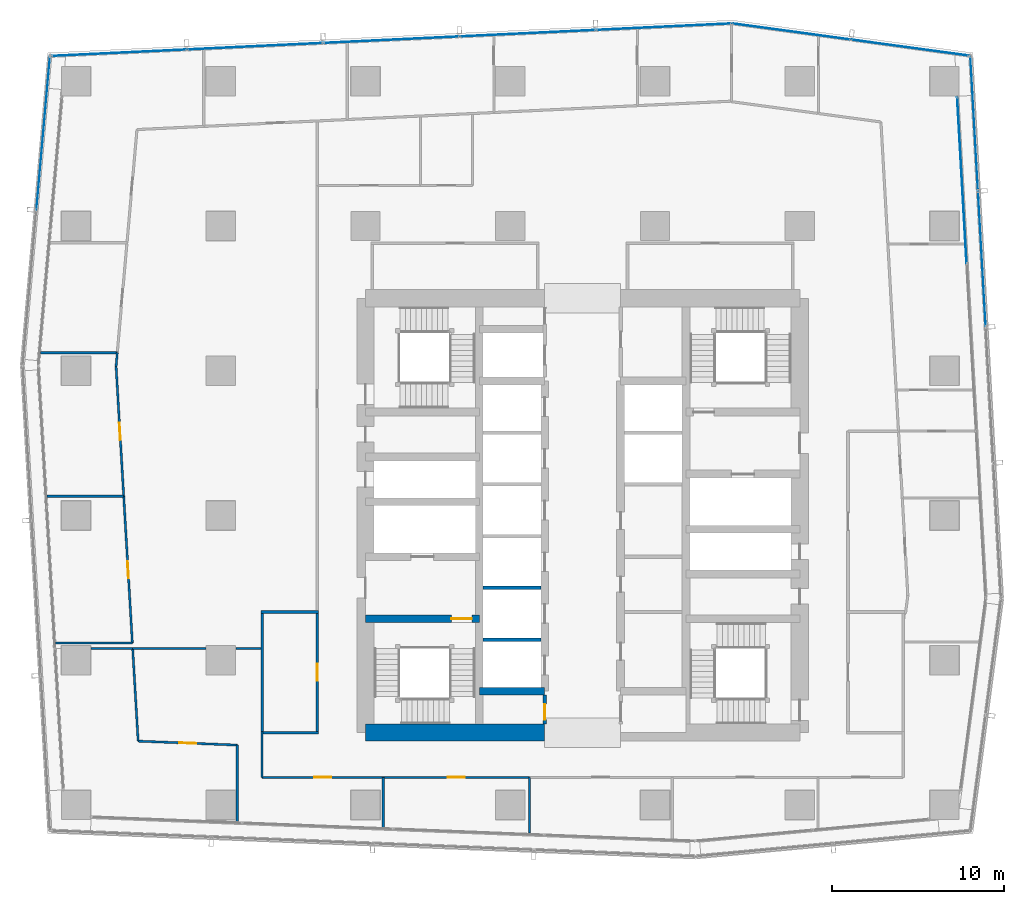
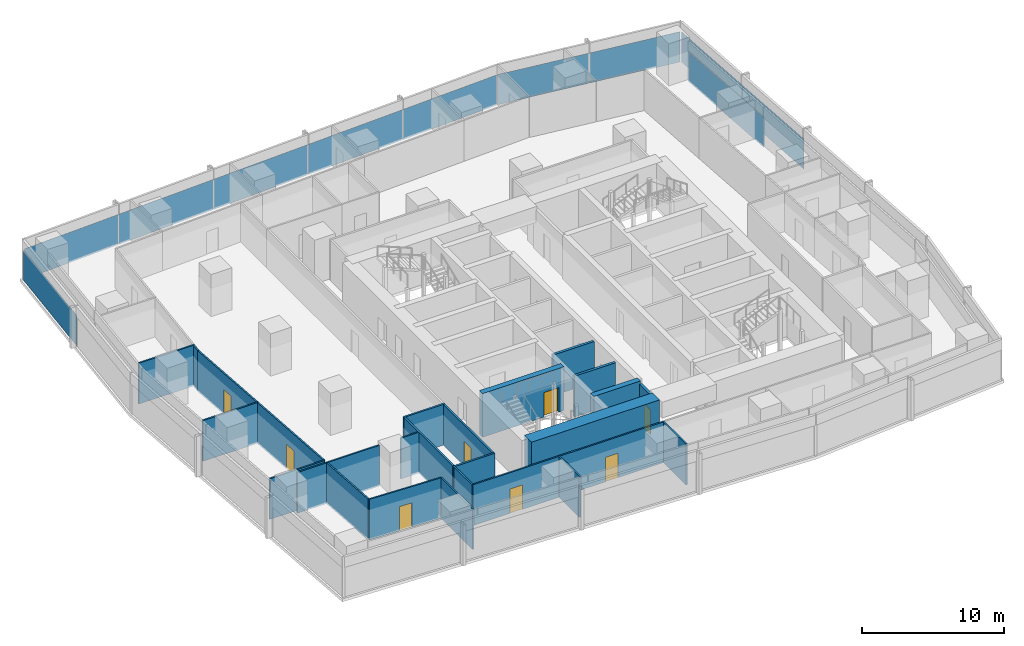
# One storey, part 27 of 39: 27 walls, 11 plates, 8 doors, 8 openings, 5 elements without a shape of their own.
"""IFC4 building model written with IfcOpenShell, lengths in metres."""

from ifc_helpers import new_model, si_unit, direction, frame, frame_2d, origin, origin_2d, place, context, subcontext, project, spatial, rectangle, extrude, material, layer, layer_set, type_object, element, fill, aggregate, save


model = new_model("IFC4")

# Units and contexts
model_context = context("Model", 3, precision=1e-05, world=origin(), true_north=direction((0.0, 1.0)))
body_context = subcontext(model_context, "Body", "Model", "MODEL_VIEW")
ifc_project = project(units=[si_unit("LENGTHUNIT", "METRE"), si_unit("AREAUNIT", "SQUARE_METRE"), si_unit("VOLUMEUNIT", "CUBIC_METRE"), si_unit("PLANEANGLEUNIT", "RADIAN"), si_unit("MASSUNIT", "GRAM", prefix="KILO")], contexts=[model_context])

# Site, building, storey
site_placement = place(None, origin())
site = spatial("IfcSite", under=ifc_project, at=site_placement, CompositionType="ELEMENT")
building_placement = place(site_placement, origin())
building = spatial("IfcBuilding", under=site, at=building_placement, Name="Rekha Terrace Tower", CompositionType="ELEMENT")
storey_placement = place(building_placement, frame((0.0, 0.0, 183.949951171875)))
storey = spatial("IfcBuildingStorey", under=building, at=storey_placement, Name="L46", CompositionType="ELEMENT", Elevation=183.949951171875)

# Curtain wall, plate
ifc_material_1 = material(Name="Aluminium framing", Category="aluminium")
curtain_wall_type_1 = type_object("IfcCurtainWallType", Name="CW1 double skin inner glazing", PredefinedType="USERDEFINED", material=ifc_material_1)
curtain_wall_1_placement = place(storey_placement, origin())
curtain_wall_1 = element("IfcCurtainWall", 1, at=curtain_wall_1_placement, inside=storey, type_object=curtain_wall_type_1, Name="CW1 double skin inner glazing", ObjectType="DOUBLE SKIN INNER GLAZING", PredefinedType="USERDEFINED")
ifc_material_2 = material(Name="Double-glazed low-e unit 32", Category="glass")
ifc_layer_1 = layer(ifc_material_2, 0.031982421875)
ifc_layer_set_1 = layer_set([ifc_layer_1], Name="Double-glazed low-e unit 32")
plate_type_1 = type_object("IfcPlateType", Name="CW1 jumbo vision panel, double-glazed low-e unit 32", PredefinedType="CURTAIN_PANEL", material=ifc_layer_set_1)
plate_1_placement = place(storey_placement, frame((59.808349609375, 53.051025390625, 0.0), z_axis=(0.0, 0.0, 1.0), x_axis=(-0.056673194877, 0.998392782918, 0.0)))
plate_1 = element("IfcPlate", 2, at=plate_1_placement, type_object=plate_type_1, Name="CW1 panel 3.1", PredefinedType="CURTAIN_PANEL", context=body_context, shape_type="SweptSolid", body=[
    extrude(rectangle(XDim=9.633056640625, YDim=0.031982421875, at=origin_2d()), origin(), (0.0, 0.0, 1.0), 2.60009765625),
])
aggregate(curtain_wall_1, [plate_1])

# Curtain wall, plates
curtain_wall_type_2 = type_object("IfcCurtainWallType", Name="CW2 double skin outer glazing", PredefinedType="USERDEFINED", material=ifc_material_1)
curtain_wall_2_placement = place(storey_placement, origin())
curtain_wall_2 = element("IfcCurtainWall", 3, at=curtain_wall_2_placement, inside=storey, type_object=curtain_wall_type_2, Name="CW2 double skin outer glazing", ObjectType="DOUBLE SKIN OUTER GLAZING", PredefinedType="USERDEFINED")
ifc_material_3 = material(Name="Toughened single glazing 12", Category="glass")
ifc_layer_2 = layer(ifc_material_3, 0.011962890625)
ifc_layer_set_2 = layer_set([ifc_layer_2], Name="Toughened single glazing 12")
plate_type_2 = type_object("IfcPlateType", Name="CW2 jumbo vision panel, toughened single glazing 12", PredefinedType="CURTAIN_PANEL", material=ifc_layer_set_2)
plate_2_placement = place(storey_placement, frame((60.9697265625, 48.47314453125, 0.0), z_axis=(0.0, 0.0, 1.0), x_axis=(-0.05667319486, 0.998392782919, 0.0)))
plate_2 = element("IfcPlate", 4, at=plate_2_placement, type_object=plate_type_2, Name="CW2 panel 3.1", PredefinedType="CURTAIN_PANEL", context=body_context, shape_type="SweptSolid", body=[
    extrude(rectangle(XDim=7.823486328125, YDim=0.011962890625, at=origin_2d()), origin(), (0.0, 0.0, 1.0), 2.60009765625),
])
plate_3_placement = place(storey_placement, frame((60.522705078125, 56.343994140625, 0.0), z_axis=(0.0, 0.0, 1.0), x_axis=(-0.05667319486, 0.998392782919, 0.0)))
plate_3 = element("IfcPlate", 5, at=plate_3_placement, type_object=plate_type_2, Name="CW2 panel 4.1", PredefinedType="CURTAIN_PANEL", context=body_context, shape_type="SweptSolid", body=[
    extrude(rectangle(XDim=7.783447265625, YDim=0.011962890625, at=origin_2d()), origin(), (0.0, 0.0, 1.0), 2.60009765625),
])
aggregate(curtain_wall_2, [plate_2, plate_3])

# Curtain wall, plate
curtain_wall_3_placement = place(storey_placement, origin())
curtain_wall_3 = element("IfcCurtainWall", 6, at=curtain_wall_3_placement, inside=storey, type_object=curtain_wall_type_2, Name="CW2 double skin outer glazing", ObjectType="DOUBLE SKIN OUTER GLAZING", PredefinedType="USERDEFINED")
plate_4_placement = place(storey_placement, frame((6.498779296875, 55.78466796875, 0.0), z_axis=(0.0, 0.0, 1.0), x_axis=(-0.087957985453, -0.996124185428, 0.0)))
plate_4 = element("IfcPlate", 7, at=plate_4_placement, type_object=plate_type_2, Name="CW2 panel 1.1", PredefinedType="CURTAIN_PANEL", context=body_context, shape_type="SweptSolid", body=[
    extrude(rectangle(XDim=8.899658203125, YDim=0.011962890625, at=origin_2d()), origin(), (0.0, 0.0, 1.0), 2.60009765625),
])
aggregate(curtain_wall_3, [plate_4])

# Curtain wall, plates
curtain_wall_type_3 = type_object("IfcCurtainWallType", Name="CW3 north unitised glazing", PredefinedType="USERDEFINED", material=ifc_material_1)
curtain_wall_4_placement = place(storey_placement, origin())
curtain_wall_4 = element("IfcCurtainWall", 8, at=curtain_wall_4_placement, inside=storey, type_object=curtain_wall_type_3, Name="CW3 unitised curtain wall", ObjectType="UNITISED CURTAIN WALL", PredefinedType="USERDEFINED")
ifc_material_4 = material(Name="Double-glazed unit 28", Category="glass")
ifc_layer_3 = layer(ifc_material_4, 0.028076171875)
ifc_layer_set_3 = layer_set([ifc_layer_3], Name="Double-glazed unit 28")
plate_type_3 = type_object("IfcPlateType", Name="CW3 jumbo vision panel, double-glazed unit 28", PredefinedType="CURTAIN_PANEL", material=ifc_layer_set_3)
plate_5_placement = place(storey_placement, frame((56.797119140625, 60.745361328125, 0.0), z_axis=(0.0, 0.0, 1.0), x_axis=(-0.990867270504, 0.134840840416, 0.0)))
plate_5 = element("IfcPlate", 9, at=plate_5_placement, type_object=plate_type_3, Name="CW3 panel 1.1", PredefinedType="CURTAIN_PANEL", context=body_context, shape_type="SweptSolid", body=[
    extrude(rectangle(XDim=6.8486328125, YDim=0.028076171875, at=origin_2d()), origin(), (0.0, 0.0, 1.0), 2.60009765625),
])
plate_6_placement = place(storey_placement, frame((49.906982421875, 61.682861328125, 0.0), z_axis=(0.0, 0.0, 1.0), x_axis=(-0.990867270504, 0.134840840416, 0.0)))
plate_6 = element("IfcPlate", 10, at=plate_6_placement, type_object=plate_type_3, Name="CW3 panel 2.1", PredefinedType="CURTAIN_PANEL", context=body_context, shape_type="SweptSolid", body=[
    extrude(rectangle(XDim=6.918701171875, YDim=0.028076171875, at=origin_2d()), origin(), (0.0, 0.0, 1.0), 2.60009765625),
])
aggregate(curtain_wall_4, [plate_5, plate_6])

curtain_wall_5_placement = place(storey_placement, origin())
curtain_wall_5 = element("IfcCurtainWall", 11, at=curtain_wall_5_placement, inside=storey, type_object=curtain_wall_type_3, Name="CW3 unitised curtain wall", ObjectType="UNITISED CURTAIN WALL", PredefinedType="USERDEFINED")
plate_7_placement = place(storey_placement, frame((42.50732421875, 61.95947265625, 0.0), z_axis=(0.0, 0.0, 1.0), x_axis=(-0.998858906204, -0.047758616983, 0.0)))
plate_7 = element("IfcPlate", 12, at=plate_7_placement, type_object=plate_type_3, Name="CW3 panel 1.1", PredefinedType="CURTAIN_PANEL", context=body_context, shape_type="SweptSolid", body=[
    extrude(rectangle(XDim=7.81298828125, YDim=0.028076171875, at=origin_2d()), origin(), (0.0, 0.0, 1.0), 2.60009765625),
])
plate_8_placement = place(storey_placement, frame((34.61572265625, 61.58203125, 0.0), z_axis=(0.0, 0.0, 1.0), x_axis=(-0.998858906204, -0.047758616983, 0.0)))
plate_8 = element("IfcPlate", 13, at=plate_8_placement, type_object=plate_type_3, Name="CW3 panel 2.1", PredefinedType="CURTAIN_PANEL", context=body_context, shape_type="SweptSolid", body=[
    extrude(rectangle(XDim=7.84814453125, YDim=0.028076171875, at=origin_2d()), origin(), (0.0, 0.0, 1.0), 2.60009765625),
])
plate_9_placement = place(storey_placement, frame((26.70654296875, 61.203857421875, 0.0), z_axis=(0.0, 0.0, 1.0), x_axis=(-0.998858906204, -0.047758616983, 0.0)))
plate_9 = element("IfcPlate", 14, at=plate_9_placement, type_object=plate_type_3, Name="CW3 panel 3.1", PredefinedType="CURTAIN_PANEL", context=body_context, shape_type="SweptSolid", body=[
    extrude(rectangle(XDim=7.84814453125, YDim=0.028076171875, at=origin_2d()), origin(), (0.0, 0.0, 1.0), 2.60009765625),
])
plate_10_placement = place(storey_placement, frame((18.79736328125, 60.82568359375, 0.0), z_axis=(0.0, 0.0, 1.0), x_axis=(-0.998858906204, -0.047758616983, 0.0)))
plate_10 = element("IfcPlate", 15, at=plate_10_placement, type_object=plate_type_3, Name="CW3 panel 4.1", PredefinedType="CURTAIN_PANEL", context=body_context, shape_type="SweptSolid", body=[
    extrude(rectangle(XDim=7.84814453125, YDim=0.028076171875, at=origin_2d()), origin(), (0.0, 0.0, 1.0), 2.60009765625),
])
plate_11_placement = place(storey_placement, frame((10.906005859375, 60.448486328125, 0.0), z_axis=(0.0, 0.0, 1.0), x_axis=(-0.998858906204, -0.047758616983, 0.0)))
plate_11 = element("IfcPlate", 16, at=plate_11_placement, type_object=plate_type_3, Name="CW3 panel 5.1", PredefinedType="CURTAIN_PANEL", context=body_context, shape_type="SweptSolid", body=[
    extrude(rectangle(XDim=7.81298828125, YDim=0.028076171875, at=origin_2d()), origin(), (0.0, 0.0, 1.0), 2.60009765625),
])
aggregate(curtain_wall_5, [plate_7, plate_8, plate_9, plate_10, plate_11])

# Wall
ifc_material_5 = material(Name="Concrete M60", Category="concrete")
ifc_layer_4 = layer(ifc_material_5, 0.449951171875)
ifc_layer_set_4 = layer_set([ifc_layer_4], Name="Concrete M60")
wall_type_1 = type_object("IfcWallType", Name="CI3 450 core internal shear wall", PredefinedType="SHEAR", material=ifc_layer_set_4)
wall_1_placement = place(storey_placement, frame((31.800048828125, 23.39990234375, 0.0), z_axis=(0.0, 0.0, 1.0), x_axis=(1.0, 0.0, 0.0)))
element("IfcWall", 17, at=wall_1_placement, inside=storey, type_object=wall_type_1, Name="Core wall Y234W L46", PredefinedType="SHEAR", context=body_context, shape_type="SweptSolid", body=[
    extrude(rectangle(XDim=3.800048828125, YDim=0.449951171875, at=frame_2d((1.89990234375, 0.0))), origin(), (0.0, 0.0, 1.0), 3.75),
])

# Wall, opening, door
wall_2_placement = place(storey_placement, frame((25.199951171875, 27.60009765625, 0.0), z_axis=(0.0, 0.0, 1.0), x_axis=(1.0, 0.0, 0.0)))
wall_2 = element("IfcWall", 18, at=wall_2_placement, inside=storey, type_object=wall_type_1, Name="Core wall Y276W L46", PredefinedType="SHEAR", context=body_context, shape_type="SweptSolid", body=[
    extrude(rectangle(XDim=6.60009765625, YDim=0.449951171875, at=frame_2d((3.300048828125, 0.0))), origin(), (0.0, 0.0, 1.0), 3.75),
])
opening_1_placement = place(wall_2_placement, frame((4.97509765625, 0.0, 0.0)))
opening_1 = element("IfcOpeningElement", 19, at=opening_1_placement, cuts=wall_2, Name="Opening D1", PredefinedType="OPENING", context=body_context, shape_type="SweptSolid", body=[
    extrude(rectangle(XDim=1.199951171875, YDim=2.10009765625, at=frame_2d((0.60009765625, 1.050048828125))), frame((0.0, 0.23486328125, 0.0), z_axis=(0.0, -1.0, 0.0), x_axis=(1.0, 0.0, 0.0)), (0.0, 0.0, 1.0), 0.469970703125),
])
ifc_material_6 = material(Name="Steel fire door", Category="steel")
door_type_1 = type_object("IfcDoorType", Name="D1 1200x2100 stair fire door", OperationType="SINGLE_SWING_RIGHT", PredefinedType="DOOR", material=ifc_material_6)
door_1_placement = place(opening_1_placement, origin())
door_1 = element("IfcDoor", 20, at=door_1_placement, inside=storey, type_object=door_type_1, Name="Stair ST1 door L46", OperationType="SINGLE_SWING_RIGHT", OverallHeight=2.10009765625, OverallWidth=1.199951171875, PredefinedType="DOOR", context=body_context, shape_type="SweptSolid", body=[
    extrude(rectangle(XDim=1.199951171875, YDim=2.10009765625, at=frame_2d((0.60009765625, 1.050048828125))), frame((0.0, 0.02490234375, 0.0), z_axis=(0.0, -1.0, 0.0), x_axis=(1.0, 0.0, 0.0)), (0.0, 0.0, 1.0), 0.050048828125),
])
fill(opening_1, door_1)

# Walls
ifc_layer_5 = layer(ifc_material_5, 1.0)
ifc_layer_set_5 = layer_set([ifc_layer_5], Name="Concrete M60")
wall_type_2 = type_object("IfcWallType", Name="SW3 1000 core outer shear wall", PredefinedType="SHEAR", material=ifc_layer_set_5)
wall_3_placement = place(storey_placement, frame((25.199951171875, 21.0, 0.0), z_axis=(0.0, 0.0, 1.0), x_axis=(1.0, 0.0, 0.0)))
element("IfcWall", 21, at=wall_3_placement, inside=storey, type_object=wall_type_2, Name="Core wall S1 L46", PredefinedType="SHEAR", context=body_context, shape_type="SweptSolid", body=[
    extrude(rectangle(XDim=10.400146484375, YDim=1.0, at=frame_2d((5.2001953125, 0.0))), origin(), (0.0, 0.0, 1.0), 3.75),
])
ifc_material_7 = material(Name="Concrete block masonry, 1 hour", Category="masonry")
ifc_layer_6 = layer(ifc_material_7, 0.14990234375)
ifc_layer_set_6 = layer_set([ifc_layer_6], Name="Concrete block masonry, 1 hour")
wall_type_3 = type_object("IfcWallType", Name="WP2 150 tenancy partition", PredefinedType="PARTITIONING", material=ifc_layer_set_6)
for number, where, z_axis, x_axis, name in (
    (22, (19.125, 21.0, 0.0), (0.0, 0.0, 1.0), (1.0, 0.0, 0.0), "Men's WC wall L46"),
    (23, (19.125, 28.0, 0.0), (0.0, 0.0, 1.0), (1.0, 0.0, 0.0), "Men's WC wall L46"),
):
    element("IfcWall", number, at=place(storey_placement, frame(where, z_axis=z_axis, x_axis=x_axis)), inside=storey, type_object=wall_type_3, Name=name, PredefinedType="PARTITIONING", context=body_context, shape_type="SweptSolid", body=[
        extrude(rectangle(XDim=3.35009765625, YDim=0.14990234375, at=frame_2d((1.675048828125, 0.0))), origin(), (0.0, 0.0, 1.0), 3.5),
    ])
wall_4_placement = place(storey_placement, frame((19.199951171875, 21.074951171875, 0.0), z_axis=(0.0, 0.0, 1.0), x_axis=(0.0, 1.0, 0.0)))
element("IfcWall", 24, at=wall_4_placement, inside=storey, type_object=wall_type_3, Name="Men's WC wall L46", PredefinedType="PARTITIONING", context=body_context, shape_type="SweptSolid", body=[
    extrude(rectangle(XDim=6.85009765625, YDim=0.14990234375, at=frame_2d((3.425048828125, 0.0))), origin(), (0.0, 0.0, 1.0), 3.5),
])

# Wall, opening, door
wall_5_placement = place(storey_placement, frame((22.39990234375, 21.074951171875, 0.0), z_axis=(0.0, 0.0, 1.0), x_axis=(0.0, 1.0, 0.0)))
wall_5 = element("IfcWall", 25, at=wall_5_placement, inside=storey, type_object=wall_type_3, Name="Men's WC wall L46", PredefinedType="PARTITIONING", context=body_context, shape_type="SweptSolid", body=[
    extrude(rectangle(XDim=6.85009765625, YDim=0.14990234375, at=frame_2d((3.425048828125, 0.0))), origin(), (0.0, 0.0, 1.0), 3.5),
])
opening_2_placement = place(wall_5_placement, frame((2.925048828125, 0.0, 0.0)))
opening_2 = element("IfcOpeningElement", 26, at=opening_2_placement, cuts=wall_5, Name="Opening D3", PredefinedType="OPENING", context=body_context, shape_type="SweptSolid", body=[
    extrude(rectangle(XDim=1.0, YDim=2.10009765625, at=frame_2d((0.5, 1.050048828125))), frame((0.0, 0.0849609375, 0.0), z_axis=(0.0, -1.0, 0.0), x_axis=(1.0, 0.0, 0.0)), (0.0, 0.0, 1.0), 0.169921875),
])
ifc_material_8 = material(Name="Laminated timber fire door", Category="wood")
door_type_2 = type_object("IfcDoorType", Name="D3 1000x2100 WC door", OperationType="SINGLE_SWING_LEFT", PredefinedType="DOOR", material=ifc_material_8)
door_2_placement = place(opening_2_placement, origin())
door_2 = element("IfcDoor", 27, at=door_2_placement, inside=storey, type_object=door_type_2, Name="Door men's wc L46", OperationType="SINGLE_SWING_LEFT", OverallHeight=2.10009765625, OverallWidth=1.0, PredefinedType="DOOR", context=body_context, shape_type="SweptSolid", body=[
    extrude(rectangle(XDim=1.0, YDim=2.10009765625, at=frame_2d((0.5, 1.050048828125))), frame((0.0, 0.02490234375, 0.0), z_axis=(0.0, -1.0, 0.0), x_axis=(1.0, 0.0, 0.0)), (0.0, 0.0, 1.0), 0.050048828125),
])
fill(opening_2, door_2)

# Walls
ifc_material_9 = material(Name="Two layers of fire-rated gypsum board each side on steel studs, acoustic quilt, 1 hour", Category="steel")
ifc_layer_7 = layer(ifc_material_9, 0.125)
ifc_layer_set_7 = layer_set([ifc_layer_7], Name="Two layers of fire-rated gypsum board each side on steel studs, acoustic quilt, 1 hour")
wall_type_4 = type_object("IfcWallType", Name="WP3 125 office partition", PredefinedType="PARTITIONING", material=ifc_layer_set_7)
wall_6_placement = place(storey_placement, frame((34.7060546875, 15.175048828125, 0.0), z_axis=(0.0, 0.0, 1.0), x_axis=(0.0, 1.0, 0.0)))
element("IfcWall", 28, at=wall_6_placement, inside=storey, type_object=wall_type_4, Name="Partition L46-02", PredefinedType="PARTITIONING", context=body_context, shape_type="SweptSolid", body=[
    extrude(rectangle(XDim=3.224853515625, YDim=0.125, at=frame_2d((1.6123046875, 0.0))), origin(), (0.0, 0.0, 1.0), 3.5),
])
wall_7_placement = place(storey_placement, frame((9.27001953125, 25.887939453125, 0.0), z_axis=(0.0, 0.0, 1.0), x_axis=(1.0, 0.0, 0.0)))
element("IfcWall", 29, at=wall_7_placement, inside=storey, type_object=wall_type_4, Name="Partition L46-07", PredefinedType="PARTITIONING", context=body_context, shape_type="SweptSolid", body=[
    extrude(rectangle(XDim=2.41796875, YDim=0.125, at=frame_2d((1.208984375, 0.0))), origin(), (0.0, 0.0, 1.0), 3.5),
])
wall_8_placement = place(storey_placement, frame((11.68798828125, 25.887939453125, 0.0), z_axis=(0.0, 0.0, 1.0), x_axis=(0.058767140917, -0.998271718095, 0.0)))
element("IfcWall", 30, at=wall_8_placement, inside=storey, type_object=wall_type_4, Name="Partition L46-07", PredefinedType="PARTITIONING", context=body_context, shape_type="SweptSolid", body=[
    extrude(rectangle(XDim=5.392333984375, YDim=0.125, at=frame_2d((2.6962890625, 0.0))), origin(), (0.0, 0.0, 1.0), 3.5),
])

# Wall, opening, door
wall_9_placement = place(storey_placement, frame((12.0048828125, 20.5048828125, 0.0), z_axis=(0.0, 0.0, 1.0), x_axis=(0.999202244946, -0.039935869776, 0.0)))
wall_9 = element("IfcWall", 31, at=wall_9_placement, inside=storey, type_object=wall_type_4, Name="Partition L46-07", PredefinedType="PARTITIONING", context=body_context, shape_type="SweptSolid", body=[
    extrude(rectangle(XDim=5.7587890625, YDim=0.125, at=frame_2d((2.87939453125, 0.0))), origin(), (0.0, 0.0, 1.0), 3.5),
])
opening_3_placement = place(wall_9_placement, frame((2.37890625, 0.0, 0.0)))
opening_3 = element("IfcOpeningElement", 32, at=opening_3_placement, cuts=wall_9, Name="Opening D9", PredefinedType="OPENING", context=body_context, shape_type="SweptSolid", body=[
    extrude(rectangle(XDim=1.0, YDim=2.10009765625, at=frame_2d((0.5, 1.050048828125))), frame((0.0, 0.072509765625, 0.0), z_axis=(0.0, -1.0, 0.0), x_axis=(1.0, 0.0, 0.0)), (0.0, 0.0, 1.0), 0.14501953125),
])
ifc_material_10 = material(Name="Timber fire door", Category="wood")
door_type_3 = type_object("IfcDoorType", Name="D9 1000x2100 office door", OperationType="SINGLE_SWING_LEFT", PredefinedType="DOOR", material=ifc_material_10)
door_3_placement = place(opening_3_placement, origin())
door_3 = element("IfcDoor", 33, at=door_3_placement, inside=storey, type_object=door_type_3, Name="Door director's office L46", OperationType="SINGLE_SWING_LEFT", OverallHeight=2.10009765625, OverallWidth=1.0, PredefinedType="DOOR", context=body_context, shape_type="SweptSolid", body=[
    extrude(rectangle(XDim=1.0, YDim=2.10009765625, at=frame_2d((0.5, 1.050048828125))), frame((0.0, 0.02490234375, 0.0), z_axis=(0.0, -1.0, 0.0), x_axis=(1.0, 0.0, 0.0)), (0.0, 0.0, 1.0), 0.050048828125),
])
fill(opening_3, door_3)

# Walls
wall_10_placement = place(storey_placement, frame((17.759033203125, 20.27490234375, 0.0), z_axis=(0.0, 0.0, 1.0), x_axis=(0.0, -1.0, 0.0)))
element("IfcWall", 34, at=wall_10_placement, inside=storey, type_object=wall_type_4, Name="Partition L46-07", PredefinedType="PARTITIONING", context=body_context, shape_type="SweptSolid", body=[
    extrude(rectangle(XDim=4.452880859375, YDim=0.125, at=frame_2d((2.2265625, 0.0))), origin(), (0.0, 0.0, 1.0), 3.5),
])
wall_11_placement = place(storey_placement, frame((26.23291015625, 18.39990234375, 0.0), z_axis=(0.0, 0.0, 1.0), x_axis=(0.0, -1.0, 0.0)))
element("IfcWall", 35, at=wall_11_placement, inside=storey, type_object=wall_type_4, Name="Partition L46-08", PredefinedType="PARTITIONING", context=body_context, shape_type="SweptSolid", body=[
    extrude(rectangle(XDim=2.9169921875, YDim=0.125, at=frame_2d((1.45849609375, 0.0))), origin(), (0.0, 0.0, 1.0), 3.5),
])
wall_12_placement = place(storey_placement, frame((11.68798828125, 25.887939453125, 0.0), z_axis=(0.0, 0.0, 1.0), x_axis=(1.0, 0.0, 0.0)))
element("IfcWall", 36, at=wall_12_placement, inside=storey, type_object=wall_type_4, Name="Partition L46-08", PredefinedType="PARTITIONING", context=body_context, shape_type="SweptSolid", body=[
    extrude(rectangle(XDim=4.241943359375, YDim=0.125, at=frame_2d((2.12109375, 0.0))), origin(), (0.0, 0.0, 1.0), 3.5),
])
wall_13_placement = place(storey_placement, frame((17.669921875, 25.887939453125, 0.0), z_axis=(0.0, 0.0, 1.0), x_axis=(1.0, 0.0, 0.0)))
element("IfcWall", 37, at=wall_13_placement, inside=storey, type_object=wall_type_4, Name="Partition L46-08", PredefinedType="PARTITIONING", context=body_context, shape_type="SweptSolid", body=[
    extrude(rectangle(XDim=1.455078125, YDim=0.125, at=frame_2d((0.7275390625, 0.0))), origin(), (0.0, 0.0, 1.0), 3.5),
])
wall_14_placement = place(storey_placement, frame((19.199951171875, 21.074951171875, 0.0), z_axis=(0.0, 0.0, 1.0), x_axis=(0.0, -1.0, 0.0)))
element("IfcWall", 38, at=wall_14_placement, inside=storey, type_object=wall_type_4, Name="Partition L46-08", PredefinedType="PARTITIONING", context=body_context, shape_type="SweptSolid", body=[
    extrude(rectangle(XDim=2.675048828125, YDim=0.125, at=frame_2d((1.33740234375, 0.0))), origin(), (0.0, 0.0, 1.0), 3.5),
])

# Wall, opening, door
wall_15_placement = place(storey_placement, frame((19.199951171875, 18.39990234375, 0.0), z_axis=(0.0, 0.0, 1.0), x_axis=(1.0, 0.0, 0.0)))
wall_15 = element("IfcWall", 39, at=wall_15_placement, inside=storey, type_object=wall_type_4, Name="Partition L46-08", PredefinedType="PARTITIONING", context=body_context, shape_type="SweptSolid", body=[
    extrude(rectangle(XDim=7.032958984375, YDim=0.125, at=frame_2d((3.5166015625, 0.0))), origin(), (0.0, 0.0, 1.0), 3.5),
])
opening_4_placement = place(wall_15_placement, frame((3.01708984375, 0.0, 0.0)))
opening_4 = element("IfcOpeningElement", 40, at=opening_4_placement, cuts=wall_15, Name="Opening D9", PredefinedType="OPENING", context=body_context, shape_type="SweptSolid", body=[
    extrude(rectangle(XDim=1.0, YDim=2.10009765625, at=frame_2d((0.5, 1.050048828125))), frame((0.0, 0.072509765625, 0.0), z_axis=(0.0, -1.0, 0.0), x_axis=(1.0, 0.0, 0.0)), (0.0, 0.0, 1.0), 0.14501953125),
])
door_4_placement = place(opening_4_placement, origin())
door_4 = element("IfcDoor", 41, at=door_4_placement, inside=storey, type_object=door_type_3, Name="Door office L46", OperationType="SINGLE_SWING_LEFT", OverallHeight=2.10009765625, OverallWidth=1.0, PredefinedType="DOOR", context=body_context, shape_type="SweptSolid", body=[
    extrude(rectangle(XDim=1.0, YDim=2.10009765625, at=frame_2d((0.5, 1.050048828125))), frame((0.0, 0.02490234375, 0.0), z_axis=(0.0, -1.0, 0.0), x_axis=(1.0, 0.0, 0.0)), (0.0, 0.0, 1.0), 0.050048828125),
])
fill(opening_4, door_4)

wall_16_placement = place(storey_placement, frame((26.23291015625, 18.39990234375, 0.0), z_axis=(0.0, 0.0, 1.0), x_axis=(1.0, 0.0, 0.0)))
wall_16 = element("IfcWall", 42, at=wall_16_placement, inside=storey, type_object=wall_type_4, Name="Partition L46-09", PredefinedType="PARTITIONING", context=body_context, shape_type="SweptSolid", body=[
    extrude(rectangle(XDim=8.47216796875, YDim=0.125, at=frame_2d((4.236083984375, 0.0))), origin(), (0.0, 0.0, 1.0), 3.5),
])
opening_5_placement = place(wall_16_placement, frame((3.736083984375, 0.0, 0.0)))
opening_5 = element("IfcOpeningElement", 43, at=opening_5_placement, cuts=wall_16, Name="Opening D9", PredefinedType="OPENING", context=body_context, shape_type="SweptSolid", body=[
    extrude(rectangle(XDim=1.0, YDim=2.10009765625, at=frame_2d((0.5, 1.050048828125))), frame((0.0, 0.072509765625, 0.0), z_axis=(0.0, -1.0, 0.0), x_axis=(1.0, 0.0, 0.0)), (0.0, 0.0, 1.0), 0.14501953125),
])
door_5_placement = place(opening_5_placement, origin())
door_5 = element("IfcDoor", 44, at=door_5_placement, inside=storey, type_object=door_type_3, Name="Door meeting room L46", OperationType="SINGLE_SWING_LEFT", OverallHeight=2.10009765625, OverallWidth=1.0, PredefinedType="DOOR", context=body_context, shape_type="SweptSolid", body=[
    extrude(rectangle(XDim=1.0, YDim=2.10009765625, at=frame_2d((0.5, 1.050048828125))), frame((0.0, 0.02490234375, 0.0), z_axis=(0.0, -1.0, 0.0), x_axis=(1.0, 0.0, 0.0)), (0.0, 0.0, 1.0), 0.050048828125),
])
fill(opening_5, door_5)

# Walls
wall_17_placement = place(storey_placement, frame((10.794921875, 43.044921875, 0.0), z_axis=(0.0, 0.0, 1.0), x_axis=(-1.0, 0.0, 0.0)))
element("IfcWall", 45, at=wall_17_placement, inside=storey, type_object=wall_type_4, Name="Partition L46-19", PredefinedType="PARTITIONING", context=body_context, shape_type="SweptSolid", body=[
    extrude(rectangle(XDim=4.468017578125, YDim=0.125, at=frame_2d((2.23388671875, 0.0))), origin(), (0.0, 0.0, 1.0), 3.5),
])
wall_18_placement = place(storey_placement, frame((11.16796875, 34.7109375, 0.0), z_axis=(0.0, 0.0, 1.0), x_axis=(-1.0, 0.0, 0.0)))
element("IfcWall", 46, at=wall_18_placement, inside=storey, type_object=wall_type_4, Name="Partition L46-20", PredefinedType="PARTITIONING", context=body_context, shape_type="SweptSolid", body=[
    extrude(rectangle(XDim=4.4580078125, YDim=0.125, at=frame_2d((2.22900390625, 0.0))), origin(), (0.0, 0.0, 1.0), 3.5),
])
wall_19_placement = place(storey_placement, frame((10.794921875, 43.0439453125, 0.0), z_axis=(0.0, 0.0, 1.0), x_axis=(-0.08750093035, -0.996164437825, 0.0)))
element("IfcWall", 47, at=wall_19_placement, inside=storey, type_object=wall_type_4, Name="Partition L46-20", PredefinedType="PARTITIONING", context=body_context, shape_type="SweptSolid", body=[
    extrude(rectangle(XDim=0.798095703125, YDim=0.125, at=frame_2d((0.39892578125, 0.0))), origin(), (0.0, 0.0, 1.0), 3.5),
])

# Wall, opening, door
wall_20_placement = place(storey_placement, frame((10.72509765625, 42.2490234375, 0.0), z_axis=(0.0, 0.0, 1.0), x_axis=(0.058649999786, -0.998278607166, 0.0)))
wall_20 = element("IfcWall", 48, at=wall_20_placement, inside=storey, type_object=wall_type_4, Name="Partition L46-20", PredefinedType="PARTITIONING", context=body_context, shape_type="SweptSolid", body=[
    extrude(rectangle(XDim=7.551025390625, YDim=0.125, at=frame_2d((3.775390625, 0.0))), origin(), (0.0, 0.0, 1.0), 3.5),
])
opening_6_placement = place(wall_20_placement, frame((3.27587890625, 0.0, 0.0)))
opening_6 = element("IfcOpeningElement", 49, at=opening_6_placement, cuts=wall_20, Name="Opening D9", PredefinedType="OPENING", context=body_context, shape_type="SweptSolid", body=[
    extrude(rectangle(XDim=1.0, YDim=2.10009765625, at=frame_2d((0.5, 1.050048828125))), frame((0.0, 0.072509765625, 0.0), z_axis=(0.0, -1.0, 0.0), x_axis=(1.0, 0.0, 0.0)), (0.0, 0.0, 1.0), 0.14501953125),
])
door_6_placement = place(opening_6_placement, origin())
door_6 = element("IfcDoor", 50, at=door_6_placement, inside=storey, type_object=door_type_3, Name="Door breakout lounge L46", OperationType="SINGLE_SWING_LEFT", OverallHeight=2.10009765625, OverallWidth=1.0, PredefinedType="DOOR", context=body_context, shape_type="SweptSolid", body=[
    extrude(rectangle(XDim=1.0, YDim=2.10009765625, at=frame_2d((0.5, 1.050048828125))), frame((0.0, 0.02490234375, 0.0), z_axis=(0.0, -1.0, 0.0), x_axis=(1.0, 0.0, 0.0)), (0.0, 0.0, 1.0), 0.050048828125),
])
fill(opening_6, door_6)

wall_21_placement = place(storey_placement, frame((11.16796875, 34.7099609375, 0.0), z_axis=(0.0, 0.0, 1.0), x_axis=(0.058874777336, -0.998265375836, 0.0)))
wall_21 = element("IfcWall", 51, at=wall_21_placement, inside=storey, type_object=wall_type_4, Name="Partition L46-21", PredefinedType="PARTITIONING", context=body_context, shape_type="SweptSolid", body=[
    extrude(rectangle(XDim=8.52587890625, YDim=0.125, at=frame_2d((4.262939453125, 0.0))), origin(), (0.0, 0.0, 1.0), 3.5),
])
opening_7_placement = place(wall_21_placement, frame((3.762939453125, 0.0, 0.0)))
opening_7 = element("IfcOpeningElement", 52, at=opening_7_placement, cuts=wall_21, Name="Opening D9", PredefinedType="OPENING", context=body_context, shape_type="SweptSolid", body=[
    extrude(rectangle(XDim=1.0, YDim=2.10009765625, at=frame_2d((0.5, 1.050048828125))), frame((0.0, 0.072509765625, 0.0), z_axis=(0.0, -1.0, 0.0), x_axis=(1.0, 0.0, 0.0)), (0.0, 0.0, 1.0), 0.14501953125),
])
door_7_placement = place(opening_7_placement, origin())
door_7 = element("IfcDoor", 53, at=door_7_placement, inside=storey, type_object=door_type_3, Name="Door office L46", OperationType="SINGLE_SWING_LEFT", OverallHeight=2.10009765625, OverallWidth=1.0, PredefinedType="DOOR", context=body_context, shape_type="SweptSolid", body=[
    extrude(rectangle(XDim=1.0, YDim=2.10009765625, at=frame_2d((0.5, 1.050048828125))), frame((0.0, 0.02490234375, 0.0), z_axis=(0.0, -1.0, 0.0), x_axis=(1.0, 0.0, 0.0)), (0.0, 0.0, 1.0), 0.050048828125),
])
fill(opening_7, door_7)

# Walls
wall_22_placement = place(storey_placement, frame((11.669921875, 26.198974609375, 0.0), z_axis=(0.0, 0.0, 1.0), x_axis=(-1.0, 0.0, 0.0)))
element("IfcWall", 54, at=wall_22_placement, inside=storey, type_object=wall_type_4, Name="Partition L46-21", PredefinedType="PARTITIONING", context=body_context, shape_type="SweptSolid", body=[
    extrude(rectangle(XDim=4.4580078125, YDim=0.125, at=frame_2d((2.22900390625, 0.0))), origin(), (0.0, 0.0, 1.0), 3.5),
])
ifc_material_11 = material(Name="Solid concrete block masonry, 2 hour", Category="masonry")
ifc_layer_8 = layer(ifc_material_11, 0.199951171875)
ifc_layer_set_8 = layer_set([ifc_layer_8], Name="Solid concrete block masonry, 2 hour")
wall_type_5 = type_object("IfcWallType", Name="WS1 200 stair and shaft enclosure", PredefinedType="PARTITIONING", material=ifc_layer_set_8)
for number, where, z_axis, x_axis, name in (
    (55, (32.02490234375, 26.39990234375, 0.0), (0.0, 0.0, 1.0), (1.0, 0.0, 0.0), "Lift shaft divider L46"),
    (56, (32.02490234375, 29.39990234375, 0.0), (0.0, 0.0, 1.0), (1.0, 0.0, 0.0), "Lift shaft divider L46"),
):
    element("IfcWall", number, at=place(storey_placement, frame(where, z_axis=z_axis, x_axis=x_axis)), inside=storey, type_object=wall_type_5, Name=name, PredefinedType="PARTITIONING", context=body_context, shape_type="SweptSolid", body=[
        extrude(rectangle(XDim=3.35009765625, YDim=0.199951171875, at=frame_2d((1.675048828125, 0.0))), origin(), (0.0, 0.0, 1.0), 3.5),
    ])

# Wall, opening, door
wall_23_placement = place(storey_placement, frame((35.60009765625, 21.5, 0.0), z_axis=(0.0, 0.0, 1.0), x_axis=(0.0, 1.0, 0.0)))
wall_23 = element("IfcWall", 57, at=wall_23_placement, inside=storey, type_object=wall_type_5, Name="Core partition west L46", PredefinedType="PARTITIONING", context=body_context, shape_type="SweptSolid", body=[
    extrude(rectangle(XDim=1.675048828125, YDim=0.199951171875, at=frame_2d((0.83740234375, 0.0))), origin(), (0.0, 0.0, 1.0), 3.5),
])
opening_8_placement = place(wall_23_placement, frame((0.25, 0.0, 0.0)))
opening_8 = element("IfcOpeningElement", 58, at=opening_8_placement, cuts=wall_23, Name="Opening D5", PredefinedType="OPENING", context=body_context, shape_type="SweptSolid", body=[
    extrude(rectangle(XDim=0.89990234375, YDim=2.10009765625, at=frame_2d((0.449951171875, 1.050048828125))), frame((0.0, 0.10986328125, 0.0), z_axis=(0.0, -1.0, 0.0), x_axis=(1.0, 0.0, 0.0)), (0.0, 0.0, 1.0), 0.219970703125),
])
door_type_4 = type_object("IfcDoorType", Name="D5 900x2100 riser access door", OperationType="SINGLE_SWING_LEFT", PredefinedType="DOOR", material=ifc_material_6)
door_8_placement = place(opening_8_placement, origin())
door_8 = element("IfcDoor", 59, at=door_8_placement, inside=storey, type_object=door_type_4, Name="Door it comms room L46", OperationType="SINGLE_SWING_LEFT", OverallHeight=2.10009765625, OverallWidth=0.89990234375, PredefinedType="DOOR", context=body_context, shape_type="SweptSolid", body=[
    extrude(rectangle(XDim=0.89990234375, YDim=2.10009765625, at=frame_2d((0.449951171875, 1.050048828125))), frame((0.0, 0.02490234375, 0.0), z_axis=(0.0, -1.0, 0.0), x_axis=(1.0, 0.0, 0.0)), (0.0, 0.0, 1.0), 0.050048828125),
])
fill(opening_8, door_8)

save(model, "model.ifc")
